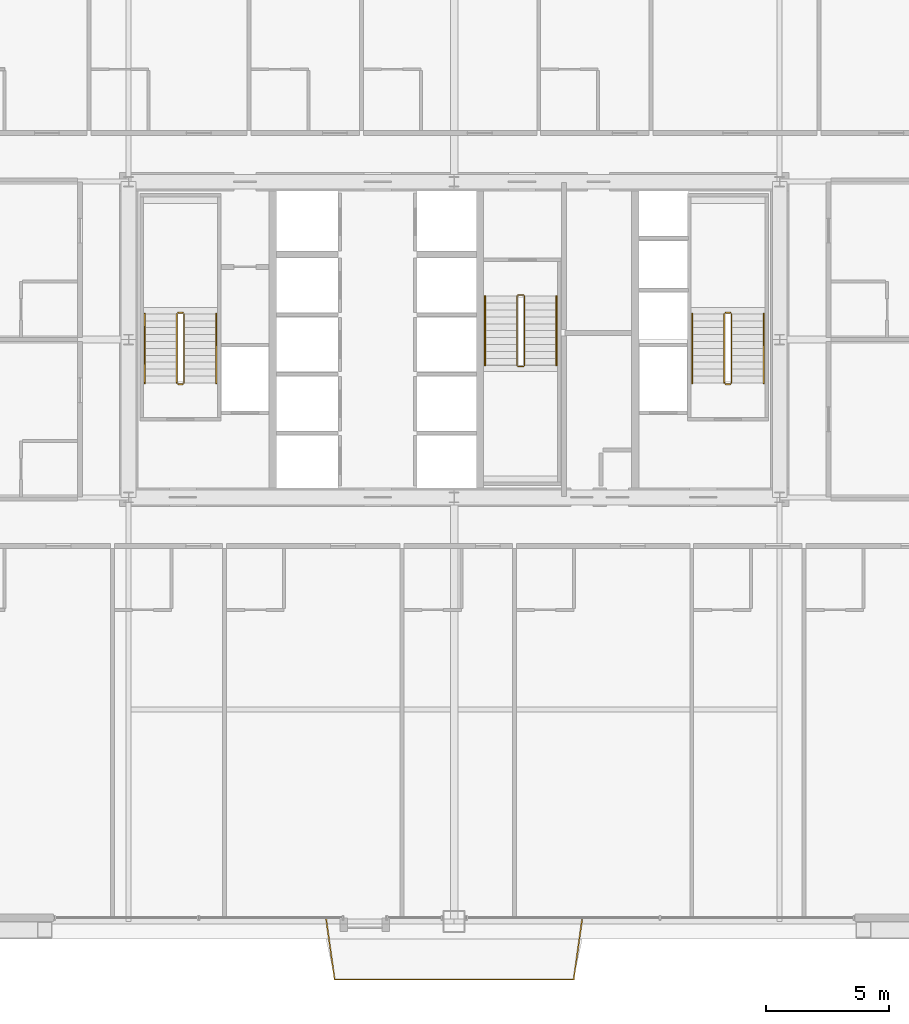
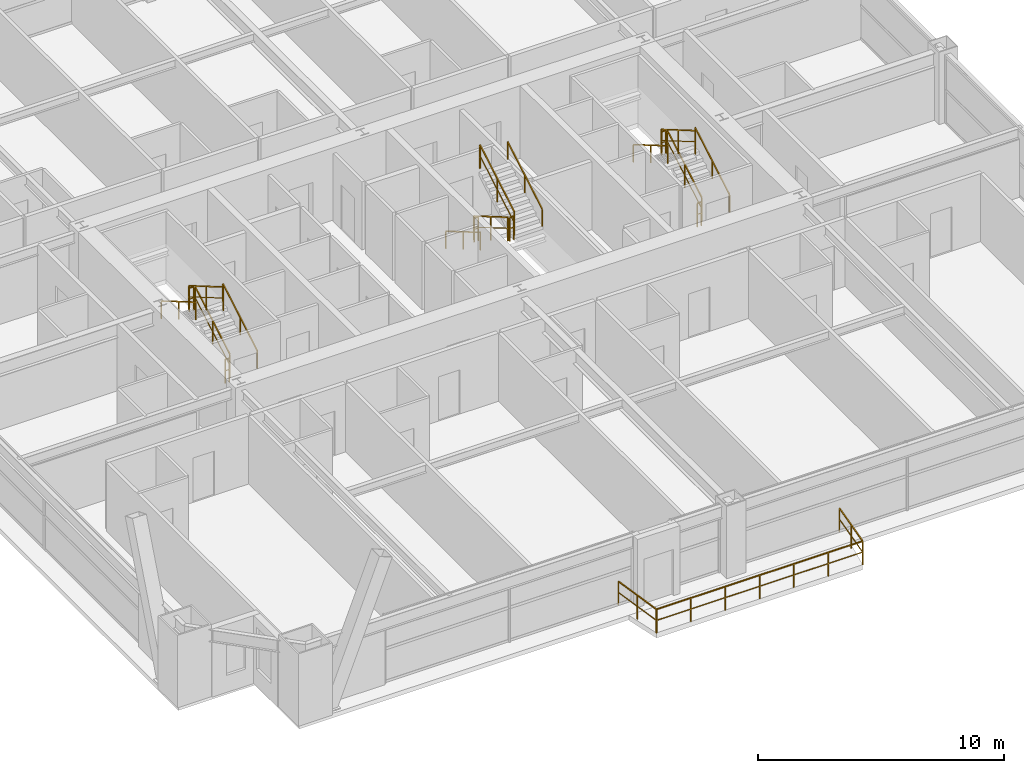
# One storey, part 43 of 43: 19 railings.
"""IFC4 building model written with IfcOpenShell, lengths in metres."""

from ifc_helpers import new_model, si_unit, direction, frame, origin, origin_2d, place, context, subcontext, project, spatial, rectangle, extrude, source, transform, mapped, material, layer, layer_set, type_object, element, save


model = new_model("IFC4")

# Units and contexts
model_context = context("Model", 3, precision=1e-05, world=origin(), true_north=direction((0.0, 1.0)))
body_context = subcontext(model_context, "Body", "Model", "MODEL_VIEW")
ifc_project = project(units=[si_unit("LENGTHUNIT", "METRE"), si_unit("AREAUNIT", "SQUARE_METRE"), si_unit("VOLUMEUNIT", "CUBIC_METRE"), si_unit("PLANEANGLEUNIT", "RADIAN"), si_unit("MASSUNIT", "GRAM", prefix="KILO"), si_unit("THERMODYNAMICTEMPERATUREUNIT", "KELVIN"), si_unit("POWERUNIT", "WATT")], contexts=[model_context])

# Site, building, storey
site_placement = place(None, origin())
site = spatial("IfcSite", under=ifc_project, at=site_placement, CompositionType="ELEMENT")
building_placement = place(site_placement, origin())
building = spatial("IfcBuilding", under=site, at=building_placement, Name="Yuzanri Waterfront Tower", CompositionType="ELEMENT")
storey_placement = place(building_placement, frame((0.0, 0.0, 93.800048828125)))
storey = spatial("IfcBuildingStorey", under=building, at=storey_placement, Name="L24", CompositionType="ELEMENT", Elevation=93.800048828125)

# Railings
ifc_material_1 = material(Name="Anodized Architectural Bronze", Category="metal")
ifc_layer_1 = layer(ifc_material_1, 0.080078125)
ifc_layer_set_1 = layer_set([ifc_layer_1], Name="Anodized Architectural Bronze")
railing_type_1 = type_object("IfcRailingType", Name="Laminated Glass and Bronze Balcony Guardrail 1200", PredefinedType="BALUSTRADE", material=ifc_layer_set_1)
shared_shape_1 = source(origin(), body_context, "Body", "SweptSolid", [
    extrude(rectangle(XDim=0.050048828125, YDim=0.050048828125, at=origin_2d()), frame((0.0, 0.0, 1.1748046875), z_axis=(0.138898637433, -0.99030660329, 0.0), x_axis=(0.99030660329, 0.138898637433, 0.0)), (0.0, 0.0, 1.0), 2.5205078125),
    extrude(rectangle(XDim=0.035888671875, YDim=0.030029296875, at=origin_2d()), frame((0.0, 0.0, 0.6240234375), z_axis=(0.138898637433, -0.99030660329, 0.0), x_axis=(0.99030660329, 0.138898637433, 0.0)), (0.0, 0.0, 1.0), 2.5205078125),
    extrude(rectangle(XDim=0.050048828125, YDim=0.050048828125, at=origin_2d()), frame((0.35009765625, -2.49609375, 1.1748046875), z_axis=(1.0, 0.0, 0.0), x_axis=(0.0, 1.0, 0.0)), (0.0, 0.0, 1.0), 9.69482421875),
    extrude(rectangle(XDim=0.035888671875, YDim=0.030029296875, at=origin_2d()), frame((0.35009765625, -2.49609375, 0.6240234375), z_axis=(1.0, 0.0, 0.0), x_axis=(0.0, 1.0, 0.0)), (0.0, 0.0, 1.0), 9.69482421875),
    extrude(rectangle(XDim=0.050048828125, YDim=0.050048828125, at=origin_2d()), frame((10.044921875, -2.49609375, 1.1748046875), z_axis=(0.138898637433, 0.99030660329, 0.0), x_axis=(-0.99030660329, 0.138898637433, 0.0)), (0.0, 0.0, 1.0), 2.5205078125),
    extrude(rectangle(XDim=0.035888671875, YDim=0.030029296875, at=origin_2d()), frame((10.044921875, -2.49609375, 0.6240234375), z_axis=(0.138898637433, 0.99030660329, 0.0), x_axis=(-0.99030660329, 0.138898637433, 0.0)), (0.0, 0.0, 1.0), 2.5205078125),
    extrude(rectangle(XDim=0.0458984375, YDim=0.0458984375, at=origin_2d()), origin(), (0.0, 0.0, 1.0), 1.14990234375),
    extrude(rectangle(XDim=0.0458984375, YDim=0.0458984375, at=origin_2d()), frame((0.175048828125, -1.248046875, 0.0)), (0.0, 0.0, 1.0), 1.14990234375),
    extrude(rectangle(XDim=0.0458984375, YDim=0.0458984375, at=origin_2d()), frame((0.35009765625, -2.49609375, 0.0)), (0.0, 0.0, 1.0), 1.14990234375),
    extrude(rectangle(XDim=0.0458984375, YDim=0.0458984375, at=origin_2d()), frame((1.9658203125, -2.49609375, 0.0)), (0.0, 0.0, 1.0), 1.14990234375),
    extrude(rectangle(XDim=0.0458984375, YDim=0.0458984375, at=origin_2d()), frame((3.581787109375, -2.49609375, 0.0)), (0.0, 0.0, 1.0), 1.14990234375),
    extrude(rectangle(XDim=0.0458984375, YDim=0.0458984375, at=origin_2d()), frame((5.197509765625, -2.49609375, 0.0)), (0.0, 0.0, 1.0), 1.14990234375),
    extrude(rectangle(XDim=0.0458984375, YDim=0.0458984375, at=origin_2d()), frame((6.813232421875, -2.49609375, 0.0)), (0.0, 0.0, 1.0), 1.14990234375),
    extrude(rectangle(XDim=0.0458984375, YDim=0.0458984375, at=origin_2d()), frame((8.42919921875, -2.49609375, 0.0)), (0.0, 0.0, 1.0), 1.14990234375),
    extrude(rectangle(XDim=0.0458984375, YDim=0.0458984375, at=origin_2d()), frame((10.044921875, -2.49609375, 0.0)), (0.0, 0.0, 1.0), 1.14990234375),
    extrude(rectangle(XDim=0.0458984375, YDim=0.0458984375, at=origin_2d()), frame((10.219970703125, -1.248046875, 0.0)), (0.0, 0.0, 1.0), 1.14990234375),
    extrude(rectangle(XDim=0.0458984375, YDim=0.0458984375, at=origin_2d()), frame((10.39501953125, 0.0, 0.0)), (0.0, 0.0, 1.0), 1.14990234375),
])
railing_1_placement = place(storey_placement, frame((31.802490234375, 2.35009765625, 0.0)))
element("IfcRailing", 1, at=railing_1_placement, inside=storey, type_object=railing_type_1, Name="L24 S Engawa Terrace Guardrail", PredefinedType="BALUSTRADE", context=body_context, shape_type="MappedRepresentation", body=[
    mapped(shared_shape_1, transform((0.0, 0.0, 0.0), scale=1.0)),
])
ifc_material_2 = material(Name="Painted Galvanized Fire Steel", Category="steel")
ifc_layer_2 = layer(ifc_material_2, 0.06005859375)
ifc_layer_set_2 = layer_set([ifc_layer_2], Name="Painted Galvanized Fire Steel")
railing_type_2 = type_object("IfcRailingType", Name="Painted Steel Stairwell Guardrail 1120", PredefinedType="GUARDRAIL", material=ifc_layer_set_2)
shared_shape_2 = source(origin(), body_context, "Body", "SweptSolid", [
    extrude(rectangle(XDim=0.050048828125, YDim=0.050048828125, at=origin_2d()), frame((0.0, 0.0, 1.1748046875), z_axis=(-1.0, 0.0, 0.0), x_axis=(0.0, -1.0, 0.0)), (0.0, 0.0, 1.0), 0.199951171875),
    extrude(rectangle(XDim=0.035888671875, YDim=0.030029296875, at=origin_2d()), frame((0.0, 0.0, 0.6240234375), z_axis=(-1.0, 0.0, 0.0), x_axis=(0.0, -1.0, 0.0)), (0.0, 0.0, 1.0), 0.199951171875),
    extrude(rectangle(XDim=0.0458984375, YDim=0.0458984375, at=origin_2d()), origin(), (0.0, 0.0, 1.0), 1.14990234375),
    extrude(rectangle(XDim=0.0458984375, YDim=0.0458984375, at=origin_2d()), frame((-0.199951171875, 0.0, 0.0)), (0.0, 0.0, 1.0), 1.14990234375),
])
for number, where, name in (
    (2, (26.0, 26.889892578125, 1.800048828125), "L24 ST-01 stair guard 2"),
    (3, (26.0, 23.989990234375, 0.0), "L24 ST-01 stair guard 4"),
    (4, (48.199951171875, 26.889892578125, 1.800048828125), "L24 ST-02 stair guard 2"),
    (5, (48.199951171875, 23.989990234375, 0.0), "L24 ST-02 stair guard 4"),
):
    element("IfcRailing", number, at=place(storey_placement, frame(where)), inside=storey, type_object=railing_type_2, Name=name, PredefinedType="GUARDRAIL", context=body_context, shape_type="MappedRepresentation", body=[
        mapped(shared_shape_2, transform((0.0, 0.0, 0.0), scale=1.0)),
    ])
shared_shape_3 = source(origin(), body_context, "Body", "SweptSolid", [
    extrude(rectangle(XDim=0.050048828125, YDim=0.050048828125, at=origin_2d()), frame((0.0, 0.0, 1.1748046875), z_axis=(0.0, 0.863393664356, 0.504530851732), x_axis=(-1.0, 0.0, 0.0)), (0.0, 0.0, 1.0), 3.2431640625),
    extrude(rectangle(XDim=0.035888671875, YDim=0.030029296875, at=origin_2d()), frame((0.0, 0.0, 0.6240234375), z_axis=(0.0, 0.863393664356, 0.504530851732), x_axis=(-1.0, 0.0, 0.0)), (0.0, 0.0, 1.0), 3.2431640625),
    extrude(rectangle(XDim=0.0458984375, YDim=0.0458984375, at=origin_2d()), origin(), (0.0, 0.0, 1.0), 1.14990234375),
    extrude(rectangle(XDim=0.0458984375, YDim=0.0458984375, at=origin_2d()), frame((0.0, 1.39990234375, 0.818115234375)), (0.0, 0.0, 1.0), 1.14990234375),
    extrude(rectangle(XDim=0.0458984375, YDim=0.0458984375, at=origin_2d()), frame((0.0, 2.800048828125, 1.63623046875)), (0.0, 0.0, 1.0), 1.14990234375),
])
railing_2_placement = place(storey_placement, frame((39.85009765625, 24.760009765625, 1.963623046875)))
element("IfcRailing", 6, at=railing_2_placement, inside=storey, type_object=railing_type_2, Name="L24 ST-03 stair guard 3", PredefinedType="GUARDRAIL", context=body_context, shape_type="MappedRepresentation", body=[
    mapped(shared_shape_3, transform((0.0, 0.0, 0.0), scale=1.0)),
])
shared_shape_4 = source(origin(), body_context, "Body", "SweptSolid", [
    extrude(rectangle(XDim=0.050048828125, YDim=0.050048828125, at=origin_2d()), frame((0.0, 0.0, 1.1748046875), z_axis=(0.0, -0.863393664356, 0.504530851732), x_axis=(1.0, 0.0, 0.0)), (0.0, 0.0, 1.0), 3.2431640625),
    extrude(rectangle(XDim=0.035888671875, YDim=0.030029296875, at=origin_2d()), frame((0.0, 0.0, 0.6240234375), z_axis=(0.0, -0.863393664356, 0.504530851732), x_axis=(1.0, 0.0, 0.0)), (0.0, 0.0, 1.0), 3.2431640625),
    extrude(rectangle(XDim=0.0458984375, YDim=0.0458984375, at=origin_2d()), origin(), (0.0, 0.0, 1.0), 1.14990234375),
    extrude(rectangle(XDim=0.0458984375, YDim=0.0458984375, at=origin_2d()), frame((0.0, -1.39990234375, 0.818115234375)), (0.0, 0.0, 1.0), 1.14990234375),
    extrude(rectangle(XDim=0.0458984375, YDim=0.0458984375, at=origin_2d()), frame((0.0, -2.800048828125, 1.63623046875)), (0.0, 0.0, 1.0), 1.14990234375),
])
for number, where, name in (
    (7, (25.75, 26.840087890625, 1.963623046875), "L24 ST-01 stair guard 3"),
    (8, (47.949951171875, 26.840087890625, 1.963623046875), "L24 ST-02 stair guard 3"),
):
    element("IfcRailing", number, at=place(storey_placement, frame(where)), inside=storey, type_object=railing_type_2, Name=name, PredefinedType="GUARDRAIL", context=body_context, shape_type="MappedRepresentation", body=[
        mapped(shared_shape_4, transform((0.0, 0.0, 0.0), scale=1.0)),
    ])
ifc_material_3 = material(Name="Anodized Architectural Bronze", Category="metal")
ifc_layer_3 = layer(ifc_material_3, 0.050048828125)
ifc_layer_set_3 = layer_set([ifc_layer_3], Name="Anodized Architectural Bronze")
railing_type_3 = type_object("IfcRailingType", Name="Brushed Bronze Stair Pitch Handrail 920", PredefinedType="HANDRAIL", material=ifc_layer_set_3)
shared_shape_5 = source(origin(), body_context, "Body", "SweptSolid", [
    extrude(rectangle(XDim=0.050048828125, YDim=0.050048828125, at=origin_2d()), frame((0.0, 0.0, 0.875), z_axis=(0.0, 0.863393664356, 0.504530851732), x_axis=(-1.0, 0.0, 0.0)), (0.0, 0.0, 1.0), 3.2431640625),
    extrude(rectangle(XDim=0.0458984375, YDim=0.0458984375, at=origin_2d()), origin(), (0.0, 0.0, 1.0), 0.849853515625),
    extrude(rectangle(XDim=0.0458984375, YDim=0.0458984375, at=origin_2d()), frame((0.0, 1.39990234375, 0.818115234375)), (0.0, 0.0, 1.0), 0.849853515625),
    extrude(rectangle(XDim=0.0458984375, YDim=0.0458984375, at=origin_2d()), frame((0.0, 2.800048828125, 1.63623046875)), (0.0, 0.0, 1.0), 0.849853515625),
])
railing_3_placement = place(storey_placement, frame((41.14990234375, 24.760009765625, 1.963623046875)))
element("IfcRailing", 9, at=railing_3_placement, inside=storey, type_object=railing_type_3, Name="L24 ST-03 stair handrail 2", PredefinedType="HANDRAIL", context=body_context, shape_type="MappedRepresentation", body=[
    mapped(shared_shape_5, transform((0.0, 0.0, 0.0), scale=1.0)),
])
shared_shape_6 = source(origin(), body_context, "Body", "SweptSolid", [
    extrude(rectangle(XDim=0.050048828125, YDim=0.050048828125, at=origin_2d()), frame((0.0, 0.0, 0.875), z_axis=(0.0, -0.863393664356, 0.504530851732), x_axis=(1.0, 0.0, 0.0)), (0.0, 0.0, 1.0), 3.2431640625),
    extrude(rectangle(XDim=0.0458984375, YDim=0.0458984375, at=origin_2d()), origin(), (0.0, 0.0, 1.0), 0.849853515625),
    extrude(rectangle(XDim=0.0458984375, YDim=0.0458984375, at=origin_2d()), frame((0.0, -1.39990234375, 0.818115234375)), (0.0, 0.0, 1.0), 0.849853515625),
    extrude(rectangle(XDim=0.0458984375, YDim=0.0458984375, at=origin_2d()), frame((0.0, -2.800048828125, 1.63623046875)), (0.0, 0.0, 1.0), 0.849853515625),
])
for number, where, name in (
    (10, (24.449951171875, 26.840087890625, 1.963623046875), "L24 ST-01 stair handrail 2"),
    (11, (46.64990234375, 26.840087890625, 1.963623046875), "L24 ST-02 stair handrail 2"),
):
    element("IfcRailing", number, at=place(storey_placement, frame(where)), inside=storey, type_object=railing_type_3, Name=name, PredefinedType="HANDRAIL", context=body_context, shape_type="MappedRepresentation", body=[
        mapped(shared_shape_6, transform((0.0, 0.0, 0.0), scale=1.0)),
    ])
shared_shape_7 = source(origin(), body_context, "Body", "SweptSolid", [
    extrude(rectangle(XDim=0.050048828125, YDim=0.050048828125, at=origin_2d()), frame((0.0, 0.0, 1.1748046875), z_axis=(0.0, 0.863360870873, 0.504586966384), x_axis=(-1.0, 0.0, 0.0)), (0.0, 0.0, 1.0), 3.2431640625),
    extrude(rectangle(XDim=0.035888671875, YDim=0.030029296875, at=origin_2d()), frame((0.0, 0.0, 0.6240234375), z_axis=(0.0, 0.863360870873, 0.504586966384), x_axis=(-1.0, 0.0, 0.0)), (0.0, 0.0, 1.0), 3.2431640625),
    extrude(rectangle(XDim=0.0458984375, YDim=0.0458984375, at=origin_2d()), origin(), (0.0, 0.0, 1.0), 1.14990234375),
    extrude(rectangle(XDim=0.0458984375, YDim=0.0458984375, at=origin_2d()), frame((0.0, 1.39990234375, 0.818359375)), (0.0, 0.0, 1.0), 1.14990234375),
    extrude(rectangle(XDim=0.0458984375, YDim=0.0458984375, at=origin_2d()), frame((0.0, 2.800048828125, 1.636474609375)), (0.0, 0.0, 1.0), 1.14990234375),
])
for number, where, name in (
    (12, (26.050048828125, 24.0400390625, 0.16357421875), "L24 ST-01 stair guard 1"),
    (13, (48.25, 24.0400390625, 0.16357421875), "L24 ST-02 stair guard 1"),
):
    element("IfcRailing", number, at=place(storey_placement, frame(where)), inside=storey, type_object=railing_type_2, Name=name, PredefinedType="GUARDRAIL", context=body_context, shape_type="MappedRepresentation", body=[
        mapped(shared_shape_7, transform((0.0, 0.0, 0.0), scale=1.0)),
    ])
shared_shape_8 = source(origin(), body_context, "Body", "SweptSolid", [
    extrude(rectangle(XDim=0.050048828125, YDim=0.050048828125, at=origin_2d()), frame((0.0, 0.0, 1.1748046875), z_axis=(0.0, -0.863360870873, 0.504586966384), x_axis=(1.0, 0.0, 0.0)), (0.0, 0.0, 1.0), 3.2431640625),
    extrude(rectangle(XDim=0.035888671875, YDim=0.030029296875, at=origin_2d()), frame((0.0, 0.0, 0.6240234375), z_axis=(0.0, -0.863360870873, 0.504586966384), x_axis=(1.0, 0.0, 0.0)), (0.0, 0.0, 1.0), 3.2431640625),
    extrude(rectangle(XDim=0.0458984375, YDim=0.0458984375, at=origin_2d()), origin(), (0.0, 0.0, 1.0), 1.14990234375),
    extrude(rectangle(XDim=0.0458984375, YDim=0.0458984375, at=origin_2d()), frame((0.0, -1.39990234375, 0.818359375)), (0.0, 0.0, 1.0), 1.14990234375),
    extrude(rectangle(XDim=0.0458984375, YDim=0.0458984375, at=origin_2d()), frame((0.0, -2.800048828125, 1.636474609375)), (0.0, 0.0, 1.0), 1.14990234375),
])
railing_4_placement = place(storey_placement, frame((39.550048828125, 27.56005859375, 0.16357421875)))
element("IfcRailing", 14, at=railing_4_placement, inside=storey, type_object=railing_type_2, Name="L24 ST-03 stair guard 1", PredefinedType="GUARDRAIL", context=body_context, shape_type="MappedRepresentation", body=[
    mapped(shared_shape_8, transform((0.0, 0.0, 0.0), scale=1.0)),
])
shared_shape_9 = source(origin(), body_context, "Body", "SweptSolid", [
    extrude(rectangle(XDim=0.050048828125, YDim=0.050048828125, at=origin_2d()), frame((0.0, 0.0, 0.875), z_axis=(0.0, 0.863360870873, 0.504586966384), x_axis=(-1.0, 0.0, 0.0)), (0.0, 0.0, 1.0), 3.2431640625),
    extrude(rectangle(XDim=0.0458984375, YDim=0.0458984375, at=origin_2d()), origin(), (0.0, 0.0, 1.0), 0.849853515625),
    extrude(rectangle(XDim=0.0458984375, YDim=0.0458984375, at=origin_2d()), frame((0.0, 1.39990234375, 0.818359375)), (0.0, 0.0, 1.0), 0.849853515625),
    extrude(rectangle(XDim=0.0458984375, YDim=0.0458984375, at=origin_2d()), frame((0.0, 2.800048828125, 1.636474609375)), (0.0, 0.0, 1.0), 0.849853515625),
])
for number, where, name in (
    (15, (27.35009765625, 24.0400390625, 0.16357421875), "L24 ST-01 stair handrail 1"),
    (16, (49.550048828125, 24.0400390625, 0.16357421875), "L24 ST-02 stair handrail 1"),
):
    element("IfcRailing", number, at=place(storey_placement, frame(where)), inside=storey, type_object=railing_type_3, Name=name, PredefinedType="HANDRAIL", context=body_context, shape_type="MappedRepresentation", body=[
        mapped(shared_shape_9, transform((0.0, 0.0, 0.0), scale=1.0)),
    ])
shared_shape_10 = source(origin(), body_context, "Body", "SweptSolid", [
    extrude(rectangle(XDim=0.050048828125, YDim=0.050048828125, at=origin_2d()), frame((0.0, 0.0, 0.875), z_axis=(0.0, -0.863360870873, 0.504586966384), x_axis=(1.0, 0.0, 0.0)), (0.0, 0.0, 1.0), 3.2431640625),
    extrude(rectangle(XDim=0.0458984375, YDim=0.0458984375, at=origin_2d()), origin(), (0.0, 0.0, 1.0), 0.849853515625),
    extrude(rectangle(XDim=0.0458984375, YDim=0.0458984375, at=origin_2d()), frame((0.0, -1.39990234375, 0.818359375)), (0.0, 0.0, 1.0), 0.849853515625),
    extrude(rectangle(XDim=0.0458984375, YDim=0.0458984375, at=origin_2d()), frame((0.0, -2.800048828125, 1.636474609375)), (0.0, 0.0, 1.0), 0.849853515625),
])
railing_5_placement = place(storey_placement, frame((38.25, 27.56005859375, 0.16357421875)))
element("IfcRailing", 17, at=railing_5_placement, inside=storey, type_object=railing_type_3, Name="L24 ST-03 stair handrail 1", PredefinedType="HANDRAIL", context=body_context, shape_type="MappedRepresentation", body=[
    mapped(shared_shape_10, transform((0.0, 0.0, 0.0), scale=1.0)),
])
shared_shape_11 = source(origin(), body_context, "Body", "SweptSolid", [
    extrude(rectangle(XDim=0.050048828125, YDim=0.050048828125, at=origin_2d()), frame((0.0, 0.0, 1.1748046875), z_axis=(1.0, 0.0, 0.0), x_axis=(0.0, 1.0, 0.0)), (0.0, 0.0, 1.0), 0.199951171875),
    extrude(rectangle(XDim=0.035888671875, YDim=0.030029296875, at=origin_2d()), frame((0.0, 0.0, 0.6240234375), z_axis=(1.0, 0.0, 0.0), x_axis=(0.0, 1.0, 0.0)), (0.0, 0.0, 1.0), 0.199951171875),
    extrude(rectangle(XDim=0.0458984375, YDim=0.0458984375, at=origin_2d()), origin(), (0.0, 0.0, 1.0), 1.14990234375),
    extrude(rectangle(XDim=0.0458984375, YDim=0.0458984375, at=origin_2d()), frame((0.199951171875, 0.0, 0.0)), (0.0, 0.0, 1.0), 1.14990234375),
])
for number, where, name in (
    (18, (39.60009765625, 24.7099609375, 1.800048828125), "L24 ST-03 stair guard 2"),
    (19, (39.60009765625, 27.610107421875, 0.0), "L24 ST-03 stair guard 4"),
):
    element("IfcRailing", number, at=place(storey_placement, frame(where)), inside=storey, type_object=railing_type_2, Name=name, PredefinedType="GUARDRAIL", context=body_context, shape_type="MappedRepresentation", body=[
        mapped(shared_shape_11, transform((0.0, 0.0, 0.0), scale=1.0)),
    ])

save(model, "model.ifc")
